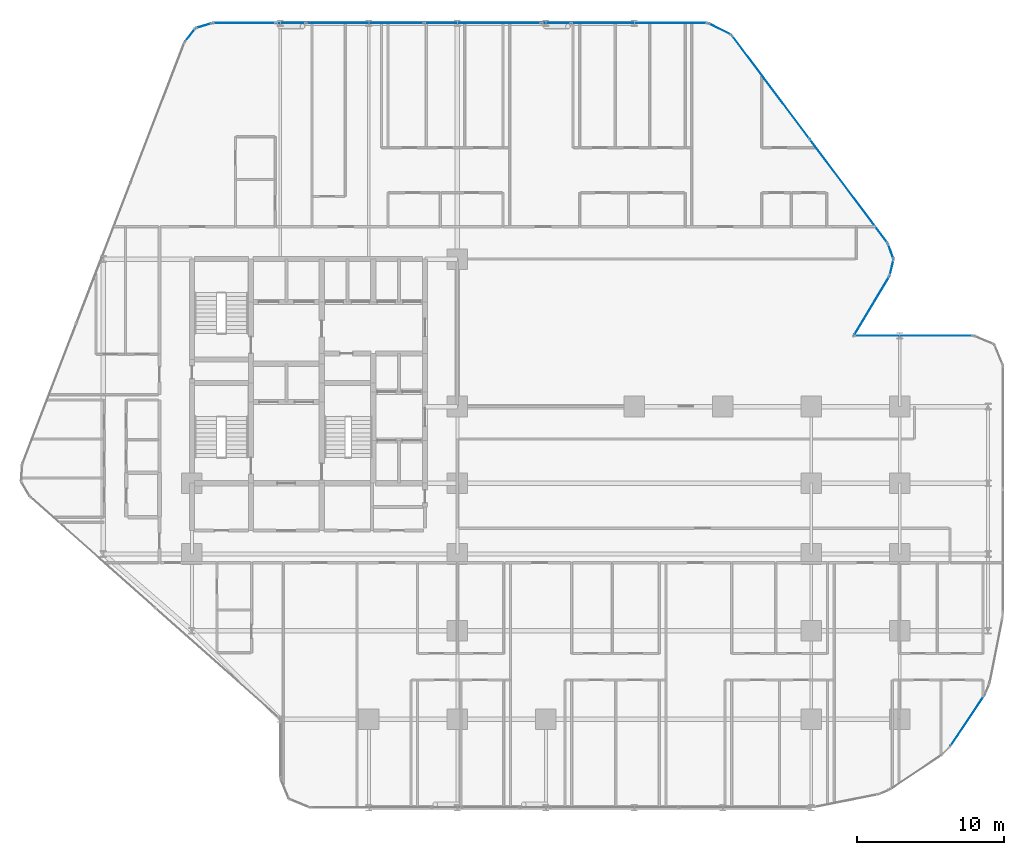
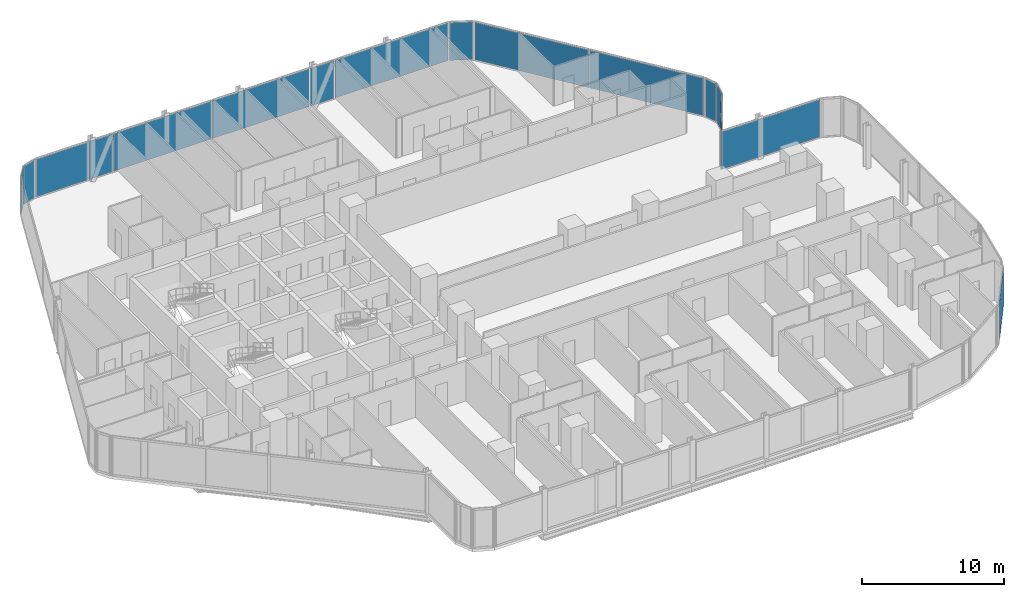
# One storey, part 24 of 33: 16 plates, 14 elements without a shape of their own.
"""IFC4 building model written with IfcOpenShell, lengths in metres."""

from ifc_helpers import new_model, si_unit, direction, frame, origin, origin_2d, place, context, subcontext, project, spatial, rectangle, extrude, material, layer, layer_set, type_object, element, aggregate, save


model = new_model("IFC4")

# Units and contexts
model_context = context("Model", 3, precision=1e-05, world=origin(), true_north=direction((0.0, 1.0)))
body_context = subcontext(model_context, "Body", "Model", "MODEL_VIEW")
ifc_project = project(units=[si_unit("LENGTHUNIT", "METRE"), si_unit("AREAUNIT", "SQUARE_METRE"), si_unit("VOLUMEUNIT", "CUBIC_METRE"), si_unit("PLANEANGLEUNIT", "RADIAN"), si_unit("MASSUNIT", "GRAM", prefix="KILO")], contexts=[model_context])

# Site, building, storey
site_placement = place(None, origin())
site = spatial("IfcSite", under=ifc_project, at=site_placement, CompositionType="ELEMENT")
building_placement = place(site_placement, origin())
building = spatial("IfcBuilding", under=site, at=building_placement, Name="Keshet Zoharim Tower", CompositionType="ELEMENT")
storey_placement = place(building_placement, frame((0.0, 0.0, 42.5)))
storey = spatial("IfcBuildingStorey", under=building, at=storey_placement, Name="L09", CompositionType="ELEMENT", Elevation=42.5)

# Curtain wall, plate
ifc_material_1 = material(Name="Aluminium 6063-T6", Category="aluminium")
ifc_layer_1 = layer(ifc_material_1, 0.179931640625)
ifc_layer_set_1 = layer_set([ifc_layer_1], Name="Aluminium 6063-T6")
curtain_wall_type_1 = type_object("IfcCurtainWallType", Name="CW-SYS-01", PredefinedType="NOTDEFINED", material=ifc_layer_set_1)
curtain_wall_1_placement = place(storey_placement, origin())
curtain_wall_1 = element("IfcCurtainWall", 1, at=curtain_wall_1_placement, inside=storey, type_object=curtain_wall_type_1, Name="L09 Unitised Curtain Wall 05", PredefinedType="NOTDEFINED")
ifc_material_2 = material(Name="Insulated Low-E Clear Glass", Category="glass")
ifc_layer_2 = layer(ifc_material_2, 0.035888671875)
ifc_layer_set_2 = layer_set([ifc_layer_2], Name="Insulated Low-E Clear Glass")
plate_type_1 = type_object("IfcPlateType", Name="CWP-01", PredefinedType="CURTAIN_PANEL", material=ifc_layer_set_2)
plate_1_placement = place(storey_placement, frame((14.8740234375, 53.08349609375, 0.06982421875), z_axis=(0.0, 0.0, 1.0), x_axis=(0.619124525989, 0.785292825205, 0.0)))
plate_1 = element("IfcPlate", 2, at=plate_1_placement, type_object=plate_type_1, Name="CW-01 panel 1.1", PredefinedType="CURTAIN_PANEL", context=body_context, shape_type="SweptSolid", body=[
    extrude(rectangle(XDim=1.045654296875, YDim=0.035888671875, at=origin_2d()), origin(), (0.0, 0.0, 1.0), 3.2451171875),
])
aggregate(curtain_wall_1, [plate_1])

curtain_wall_2_placement = place(storey_placement, origin())
curtain_wall_2 = element("IfcCurtainWall", 3, at=curtain_wall_2_placement, inside=storey, type_object=curtain_wall_type_1, Name="L09 Unitised Curtain Wall 06", PredefinedType="NOTDEFINED")
plate_2_placement = place(storey_placement, frame((15.8076171875, 53.724609375, 0.06982421875), z_axis=(0.0, 0.0, 1.0), x_axis=(0.955212151288, 0.295921857984, 0.0)))
plate_2 = element("IfcPlate", 4, at=plate_2_placement, type_object=plate_type_1, Name="CW-01 panel 1.1", PredefinedType="CURTAIN_PANEL", context=body_context, shape_type="SweptSolid", body=[
    extrude(rectangle(XDim=1.046142578125, YDim=0.035888671875, at=origin_2d()), origin(), (0.0, 0.0, 1.0), 3.2451171875),
])
aggregate(curtain_wall_2, [plate_2])

curtain_wall_3_placement = place(storey_placement, origin())
curtain_wall_3 = element("IfcCurtainWall", 5, at=curtain_wall_3_placement, inside=storey, type_object=curtain_wall_type_1, Name="L09 Unitised Curtain Wall 12", PredefinedType="NOTDEFINED")
plate_3_placement = place(storey_placement, frame((61.093994140625, 34.723388671875, 0.06982421875), z_axis=(0.0, 0.0, 1.0), x_axis=(-0.51446459506, -0.857511621163, 0.0)))
plate_3 = element("IfcPlate", 6, at=plate_3_placement, type_object=plate_type_1, Name="CW-01 panel 1.1", PredefinedType="CURTAIN_PANEL", context=body_context, shape_type="SweptSolid", body=[
    extrude(rectangle(XDim=4.57958984375, YDim=0.035888671875, at=origin_2d()), origin(), (0.0, 0.0, 1.0), 3.2451171875),
])
aggregate(curtain_wall_3, [plate_3])

curtain_wall_4_placement = place(storey_placement, origin())
curtain_wall_4 = element("IfcCurtainWall", 7, at=curtain_wall_4_placement, inside=storey, type_object=curtain_wall_type_1, Name="L09 Unitised Curtain Wall 20", PredefinedType="NOTDEFINED")
plate_4_placement = place(storey_placement, frame((67.60107421875, 6.615966796875, 0.06982421875), z_axis=(0.0, 0.0, 1.0), x_axis=(-0.555563243758, -0.831474282335, 0.0)))
plate_4 = element("IfcPlate", 8, at=plate_4_placement, type_object=plate_type_1, Name="CW-01 panel 1.1", PredefinedType="CURTAIN_PANEL", context=body_context, shape_type="SweptSolid", body=[
    extrude(rectangle(XDim=4.13671875, YDim=0.035888671875, at=origin_2d()), origin(), (0.0, 0.0, 1.0), 3.2451171875),
])
aggregate(curtain_wall_4, [plate_4])

ifc_layer_3 = layer(ifc_material_1, 0.169921875)
ifc_layer_set_3 = layer_set([ifc_layer_3], Name="Aluminium 6063-T6")
curtain_wall_type_2 = type_object("IfcCurtainWallType", Name="CW-SYS-02", PredefinedType="NOTDEFINED", material=ifc_layer_set_3)
curtain_wall_5_placement = place(storey_placement, origin())
curtain_wall_5 = element("IfcCurtainWall", 9, at=curtain_wall_5_placement, inside=storey, type_object=curtain_wall_type_2, Name="L09 Unitised Curtain Wall 07", PredefinedType="NOTDEFINED")
ifc_layer_4 = layer(ifc_material_2, 0.031982421875)
ifc_layer_set_4 = layer_set([ifc_layer_4], Name="Insulated Low-E Clear Glass")
plate_type_2 = type_object("IfcPlateType", Name="CWP-02", PredefinedType="CURTAIN_PANEL", material=ifc_layer_set_4)
plate_5_placement = place(storey_placement, frame((18.5556640625, 53.89990234375, 0.06982421875), z_axis=(0.0, 0.0, 1.0), x_axis=(1.0, 0.0, 0.0)))
plate_5 = element("IfcPlate", 10, at=plate_5_placement, type_object=plate_type_2, Name="CW-02 panel 1.1", PredefinedType="CURTAIN_PANEL", context=body_context, shape_type="SweptSolid", body=[
    extrude(rectangle(XDim=4.223388671875, YDim=0.031982421875, at=origin_2d()), origin(), (0.0, 0.0, 1.0), 3.2451171875),
])
aggregate(curtain_wall_5, [plate_5])

# Curtain wall, plates
curtain_wall_6_placement = place(storey_placement, origin())
curtain_wall_6 = element("IfcCurtainWall", 11, at=curtain_wall_6_placement, inside=storey, type_object=curtain_wall_type_2, Name="L09 Unitised Curtain Wall 07 Part 3", PredefinedType="NOTDEFINED")
plate_6_placement = place(storey_placement, frame((26.73876953125, 53.89990234375, 0.06982421875), z_axis=(0.0, 0.0, 1.0), x_axis=(1.0, 0.0, 0.0)))
plate_6 = element("IfcPlate", 12, at=plate_6_placement, type_object=plate_type_2, Name="CW-02 panel 1.1", PredefinedType="CURTAIN_PANEL", context=body_context, shape_type="SweptSolid", body=[
    extrude(rectangle(XDim=7.952392578125, YDim=0.031982421875, at=origin_2d()), origin(), (0.0, 0.0, 1.0), 3.2451171875),
])
plate_7_placement = place(storey_placement, frame((34.726318359375, 53.89990234375, 0.06982421875), z_axis=(0.0, 0.0, 1.0), x_axis=(1.0, 0.0, 0.0)))
plate_7 = element("IfcPlate", 13, at=plate_7_placement, type_object=plate_type_2, Name="CW-02 panel 2.1", PredefinedType="CURTAIN_PANEL", context=body_context, shape_type="SweptSolid", body=[
    extrude(rectangle(XDim=7.88232421875, YDim=0.031982421875, at=origin_2d()), origin(), (0.0, 0.0, 1.0), 3.2451171875),
])
aggregate(curtain_wall_6, [plate_6, plate_7])

# Curtain wall, plate
curtain_wall_7_placement = place(storey_placement, origin())
curtain_wall_7 = element("IfcCurtainWall", 14, at=curtain_wall_7_placement, inside=storey, type_object=curtain_wall_type_2, Name="L09 Unitised Curtain Wall 07 Part 5", PredefinedType="NOTDEFINED")
plate_8_placement = place(storey_placement, frame((45.34619140625, 53.89990234375, 0.06982421875), z_axis=(0.0, 0.0, 1.0), x_axis=(1.0, 0.0, 0.0)))
plate_8 = element("IfcPlate", 15, at=plate_8_placement, type_object=plate_type_2, Name="CW-02 panel 1.1", PredefinedType="CURTAIN_PANEL", context=body_context, shape_type="SweptSolid", body=[
    extrude(rectangle(XDim=9.16748046875, YDim=0.031982421875, at=origin_2d()), origin(), (0.0, 0.0, 1.0), 3.2451171875),
])
aggregate(curtain_wall_7, [plate_8])

curtain_wall_8_placement = place(storey_placement, origin())
curtain_wall_8 = element("IfcCurtainWall", 16, at=curtain_wall_8_placement, inside=storey, type_object=curtain_wall_type_2, Name="L09 Unitised Curtain Wall 08", PredefinedType="NOTDEFINED")
plate_9_placement = place(storey_placement, frame((50.800048828125, 53.5, 0.06982421875), z_axis=(0.0, 0.0, 1.0), x_axis=(0.894427191001, -0.447213595499, 0.0)))
plate_9 = element("IfcPlate", 17, at=plate_9_placement, type_object=plate_type_2, Name="CW-02 panel 1.1", PredefinedType="CURTAIN_PANEL", context=body_context, shape_type="SweptSolid", body=[
    extrude(rectangle(XDim=1.64892578125, YDim=0.031982421875, at=origin_2d()), origin(), (0.0, 0.0, 1.0), 3.2451171875),
])
aggregate(curtain_wall_8, [plate_9])

# Curtain wall, plates
curtain_wall_9_placement = place(storey_placement, origin())
curtain_wall_9 = element("IfcCurtainWall", 18, at=curtain_wall_9_placement, inside=storey, type_object=curtain_wall_type_2, Name="L09 Unitised Curtain Wall 09", PredefinedType="NOTDEFINED")
plate_10_placement = place(storey_placement, frame((54.2587890625, 49.554931640625, 0.06982421875), z_axis=(0.0, 0.0, 1.0), x_axis=(0.600000000002, -0.799999999998, 0.0)))
plate_10 = element("IfcPlate", 19, at=plate_10_placement, type_object=plate_type_2, Name="CW-02 panel 1.1", PredefinedType="CURTAIN_PANEL", context=body_context, shape_type="SweptSolid", body=[
    extrude(rectangle(XDim=8.722412109375, YDim=0.031982421875, at=origin_2d()), origin(), (0.0, 0.0, 1.0), 3.2451171875),
])
plate_11_placement = place(storey_placement, frame((59.5341796875, 42.52099609375, 0.06982421875), z_axis=(0.0, 0.0, 1.0), x_axis=(0.600000000002, -0.799999999998, 0.0)))
plate_11 = element("IfcPlate", 20, at=plate_11_placement, type_object=plate_type_2, Name="CW-02 panel 2.1", PredefinedType="CURTAIN_PANEL", context=body_context, shape_type="SweptSolid", body=[
    extrude(rectangle(XDim=8.722412109375, YDim=0.031982421875, at=origin_2d()), origin(), (0.0, 0.0, 1.0), 3.2451171875),
])
aggregate(curtain_wall_9, [plate_10, plate_11])

# Curtain wall, plate
curtain_wall_10_placement = place(storey_placement, origin())
curtain_wall_10 = element("IfcCurtainWall", 21, at=curtain_wall_10_placement, inside=storey, type_object=curtain_wall_type_2, Name="L09 Unitised Curtain Wall 10", PredefinedType="NOTDEFINED")
plate_12_placement = place(storey_placement, frame((62.3916015625, 38.427490234375, 0.06982421875), z_axis=(0.0, 0.0, 1.0), x_axis=(0.340297354046, -0.940317877544, 0.0)))
plate_12 = element("IfcPlate", 22, at=plate_12_placement, type_object=plate_type_2, Name="CW-02 panel 1.1", PredefinedType="CURTAIN_PANEL", context=body_context, shape_type="SweptSolid", body=[
    extrude(rectangle(XDim=1.026611328125, YDim=0.031982421875, at=origin_2d()), origin(), (0.0, 0.0, 1.0), 3.2451171875),
])
aggregate(curtain_wall_10, [plate_12])

curtain_wall_11_placement = place(storey_placement, origin())
curtain_wall_11 = element("IfcCurtainWall", 23, at=curtain_wall_11_placement, inside=storey, type_object=curtain_wall_type_2, Name="L09 Unitised Curtain Wall 11", PredefinedType="NOTDEFINED")
plate_13_placement = place(storey_placement, frame((62.448974609375, 37.31298828125, 0.06982421875), z_axis=(0.0, 0.0, 1.0), x_axis=(-0.241728770141, -0.970343857447, 0.0)))
plate_13 = element("IfcPlate", 24, at=plate_13_placement, type_object=plate_type_2, Name="CW-02 panel 1.1", PredefinedType="CURTAIN_PANEL", context=body_context, shape_type="SweptSolid", body=[
    extrude(rectangle(XDim=1.026611328125, YDim=0.031982421875, at=origin_2d()), origin(), (0.0, 0.0, 1.0), 3.2451171875),
])
aggregate(curtain_wall_11, [plate_13])

curtain_wall_12_placement = place(storey_placement, origin())
curtain_wall_12 = element("IfcCurtainWall", 25, at=curtain_wall_12_placement, inside=storey, type_object=curtain_wall_type_2, Name="L09 Unitised Curtain Wall 13", PredefinedType="NOTDEFINED")
plate_14_placement = place(storey_placement, frame((63.93994140625, 32.699951171875, 0.06982421875), z_axis=(0.0, 0.0, 1.0), x_axis=(1.0, 0.0, 0.0)))
plate_14 = element("IfcPlate", 26, at=plate_14_placement, type_object=plate_type_2, Name="CW-02 panel 1.1", PredefinedType="CURTAIN_PANEL", context=body_context, shape_type="SweptSolid", body=[
    extrude(rectangle(XDim=7.97998046875, YDim=0.031982421875, at=origin_2d()), origin(), (0.0, 0.0, 1.0), 3.2451171875),
])
aggregate(curtain_wall_12, [plate_14])

curtain_wall_13_placement = place(storey_placement, origin())
curtain_wall_13 = element("IfcCurtainWall", 27, at=curtain_wall_13_placement, inside=storey, type_object=curtain_wall_type_2, Name="L09 Unitised Curtain Wall 07 Part 2", PredefinedType="NOTDEFINED")
ifc_material_3 = material(Name="Insulated Aluminium Spandrel Panel", Category="aluminium")
ifc_layer_5 = layer(ifc_material_3, 0.031982421875)
ifc_layer_set_5 = layer_set([ifc_layer_5], Name="Insulated Aluminium Spandrel Panel")
plate_type_3 = type_object("IfcPlateType", Name="CWP-05", PredefinedType="CURTAIN_PANEL", material=ifc_layer_set_5)
plate_15_placement = place(storey_placement, frame((21.715087890625, 53.89990234375, 0.06982421875), z_axis=(0.0, 0.0, 1.0), x_axis=(1.0, 0.0, 0.0)))
plate_15 = element("IfcPlate", 28, at=plate_15_placement, type_object=plate_type_3, Name="CW-02 spandrel panel 1.1", PredefinedType="CURTAIN_PANEL", context=body_context, shape_type="SweptSolid", body=[
    extrude(rectangle(XDim=1.955078125, YDim=0.031982421875, at=origin_2d()), origin(), (0.0, 0.0, 1.0), 3.2451171875),
])
aggregate(curtain_wall_13, [plate_15])

curtain_wall_14_placement = place(storey_placement, origin())
curtain_wall_14 = element("IfcCurtainWall", 29, at=curtain_wall_14_placement, inside=storey, type_object=curtain_wall_type_2, Name="L09 Unitised Curtain Wall 07 Part 4", PredefinedType="NOTDEFINED")
plate_16_placement = place(storey_placement, frame((39.715087890625, 53.89990234375, 0.06982421875), z_axis=(0.0, 0.0, 1.0), x_axis=(1.0, 0.0, 0.0)))
plate_16 = element("IfcPlate", 30, at=plate_16_placement, type_object=plate_type_3, Name="CW-02 spandrel panel 1.1", PredefinedType="CURTAIN_PANEL", context=body_context, shape_type="SweptSolid", body=[
    extrude(rectangle(XDim=1.955078125, YDim=0.031982421875, at=origin_2d()), origin(), (0.0, 0.0, 1.0), 3.2451171875),
])
aggregate(curtain_wall_14, [plate_16])

save(model, "model.ifc")
